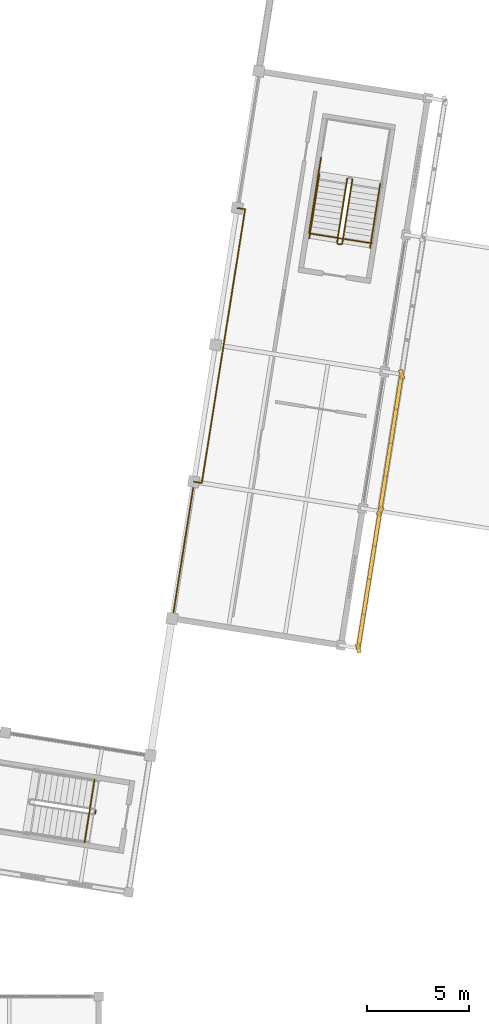
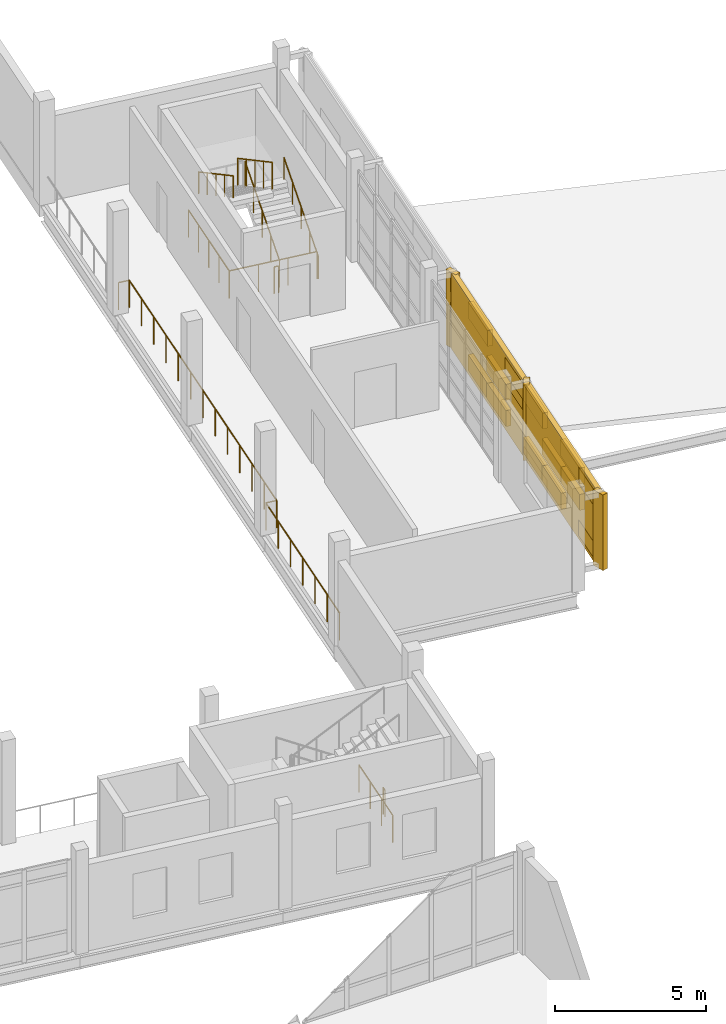
# One storey, part 135 of 137: 19 coverings, 13 railings, 2 shading devices.
"""IFC4 building model written with IfcOpenShell, lengths in metres."""

from ifc_helpers import new_model, si_unit, direction, frame, origin, origin_2d, place, context, subcontext, project, spatial, rectangle, circle, extrude, material, layer, layer_set, type_object, element, save


model = new_model("IFC4")

# Units and contexts
model_context = context("Model", 3, precision=1e-05, world=origin(), true_north=direction((0.0, 1.0)))
body_context = subcontext(model_context, "Body", "Model", "MODEL_VIEW")
ifc_project = project(units=[si_unit("LENGTHUNIT", "METRE"), si_unit("AREAUNIT", "SQUARE_METRE"), si_unit("VOLUMEUNIT", "CUBIC_METRE"), si_unit("PLANEANGLEUNIT", "RADIAN"), si_unit("MASSUNIT", "GRAM", prefix="KILO")], contexts=[model_context])

# Site, building, storey
site_placement = place(None, origin())
site = spatial("IfcSite", under=ifc_project, at=site_placement, CompositionType="ELEMENT")
building_placement = place(site_placement, origin())
building = spatial("IfcBuilding", under=site, at=building_placement, Name="Cinderway Yard Community Centre", CompositionType="ELEMENT")
storey_placement = place(building_placement, frame((0.0, 0.0, 4.800048828125)))
storey = spatial("IfcBuildingStorey", under=building, at=storey_placement, Name="L01", CompositionType="ELEMENT", Elevation=4.800048828125)

# Coverings
ifc_material_1 = material(Name="Brick Masonry", Category="masonry")
ifc_layer = layer(ifc_material_1, 0.18994140625, Name="Brick Masonry")
ifc_layer_set = layer_set([ifc_layer], Name="Brick Masonry")
covering_type = type_object("IfcCoveringType", Name="ENV-COV-BRK-SCREEN", PredefinedType="CLADDING", material=ifc_layer_set)
for number, where, z_axis, x_axis, name in (
    (1, (149.533935546875, 39.889892578125, 0.64990234375), (0.0, 0.0, 1.0), (0.258819045103, -0.965925826289, 0.0), "Deconstructivist folded brick fin 1338"),
    (2, (150.597900390625, 46.60693359375, 0.64990234375), (0.0, 0.0, 1.0), (-0.544639035015, -0.838670567945, 0.0), "Deconstructivist folded brick fin 1339"),
    (3, (151.662109375, 53.322998046875, 0.64990234375), (0.0, 0.0, 1.0), (0.258819045103, -0.965925826289, 0.0), "Deconstructivist folded brick fin 1340"),
):
    element("IfcCovering", number, at=place(storey_placement, frame(where, z_axis=z_axis, x_axis=x_axis)), inside=storey, type_object=covering_type, Name=name, PredefinedType="CLADDING", context=body_context, shape_type="SweptSolid", body=[
        extrude(rectangle(XDim=0.4599609375, YDim=0.199951171875, at=origin_2d()), origin(), (0.0, 0.0, 1.0), 3.050048828125),
    ])
for number, where, z_axis, x_axis, name in (
    (4, (149.6669921875, 40.72998046875, 0.7900390625), (0.0, 0.0, 1.0), (-0.15643446504, -0.987688340595, 0.0), "Open-bond perforated brick screen course 01343"),
    (5, (150.198974609375, 44.087890625, 0.7900390625), (0.0, 0.0, 1.0), (-0.15643446504, -0.987688340595, 0.0), "Open-bond perforated brick screen course 01344"),
    (6, (150.465087890625, 45.76708984375, 0.7900390625), (0.0, 0.0, 1.0), (-0.15643446504, -0.987688340595, 0.0), "Open-bond perforated brick screen course 01345"),
    (7, (149.93310546875, 42.408935546875, 1.85205078125), (0.0, 0.0, 1.0), (-0.15643446504, -0.987688340595, 0.0), "Open-bond perforated brick screen course 01346"),
    (8, (150.198974609375, 44.087890625, 1.85205078125), (0.0, 0.0, 1.0), (-0.15643446504, -0.987688340595, 0.0), "Open-bond perforated brick screen course 01347"),
    (9, (149.6669921875, 40.72998046875, 2.9140625), (0.0, 0.0, 1.0), (-0.15643446504, -0.987688340595, 0.0), "Open-bond perforated brick screen course 01348"),
    (10, (149.93310546875, 42.408935546875, 2.9140625), (0.0, 0.0, 1.0), (-0.15643446504, -0.987688340595, 0.0), "Open-bond perforated brick screen course 01349"),
    (11, (150.465087890625, 45.76708984375, 2.9140625), (0.0, 0.0, 1.0), (-0.15643446504, -0.987688340595, 0.0), "Open-bond perforated brick screen course 01350"),
    (12, (150.9970703125, 49.1259765625, 0.7900390625), (0.0, 0.0, 1.0), (-0.15643446504, -0.987688340595, 0.0), "Open-bond perforated brick screen course 01351"),
    (13, (151.262939453125, 50.803955078125, 0.7900390625), (0.0, 0.0, 1.0), (-0.15643446504, -0.987688340595, 0.0), "Open-bond perforated brick screen course 01352"),
    (14, (150.73095703125, 47.447021484375, 1.85205078125), (0.0, 0.0, 1.0), (-0.15643446504, -0.987688340595, 0.0), "Open-bond perforated brick screen course 01353"),
    (15, (150.9970703125, 49.1259765625, 1.85205078125), (0.0, 0.0, 1.0), (-0.15643446504, -0.987688340595, 0.0), "Open-bond perforated brick screen course 01354"),
    (16, (151.529052734375, 52.48291015625, 1.85205078125), (0.0, 0.0, 1.0), (-0.15643446504, -0.987688340595, 0.0), "Open-bond perforated brick screen course 01355"),
    (17, (150.73095703125, 47.447021484375, 2.9140625), (0.0, 0.0, 1.0), (-0.15643446504, -0.987688340595, 0.0), "Open-bond perforated brick screen course 01356"),
    (18, (151.262939453125, 50.803955078125, 2.9140625), (0.0, 0.0, 1.0), (-0.15643446504, -0.987688340595, 0.0), "Open-bond perforated brick screen course 01357"),
    (19, (151.529052734375, 52.48291015625, 2.9140625), (0.0, 0.0, 1.0), (-0.15643446504, -0.987688340595, 0.0), "Open-bond perforated brick screen course 01358"),
):
    element("IfcCovering", number, at=place(storey_placement, frame(where, z_axis=z_axis, x_axis=x_axis)), inside=storey, type_object=covering_type, Name=name, PredefinedType="CLADDING", context=body_context, shape_type="SweptSolid", body=[
        extrude(rectangle(XDim=1.780029296875, YDim=0.18994140625, at=origin_2d()), origin(), (0.0, 0.0, 1.0), 0.64599609375),
    ])

# Shading devices
shading_device_type = type_object("IfcShadingDeviceType", Name="ENV-SHD-BRICKSCREEN-A", PredefinedType="USERDEFINED", material=ifc_material_1)
shading_device_1_placement = place(storey_placement, frame((150.06591796875, 43.248046875, 0.64990234375), z_axis=(0.0, 0.0, 1.0), x_axis=(-0.15643446504, -0.987688340595, 0.0)))
element("IfcShadingDevice", 20, at=shading_device_1_placement, inside=storey, type_object=shading_device_type, Name="Sports Hall East Perforated Brick Screen 1018", ObjectType="PERFORATED BRICK SCREEN", PredefinedType="USERDEFINED", context=body_context, shape_type="SweptSolid", body=[
    extrude(rectangle(XDim=6.60107421875, YDim=0.18994140625, at=origin_2d()), origin(), (0.0, 0.0, 1.0), 3.050048828125),
])
shading_device_2_placement = place(storey_placement, frame((151.1298828125, 49.965087890625, 0.64990234375), z_axis=(0.0, 0.0, 1.0), x_axis=(-0.15643446504, -0.987688340595, 0.0)))
element("IfcShadingDevice", 21, at=shading_device_2_placement, inside=storey, type_object=shading_device_type, Name="Sports Hall East Perforated Brick Screen 1025", ObjectType="PERFORATED BRICK SCREEN", PredefinedType="USERDEFINED", context=body_context, shape_type="SweptSolid", body=[
    extrude(rectangle(XDim=6.60009765625, YDim=0.18994140625, at=origin_2d()), origin(), (0.0, 0.0, 1.0), 3.050048828125),
])

# Railings
ifc_material_2 = material(Name="Painted Galvanised Steel", Category="steel")
railing_type_1 = type_object("IfcRailingType", Name="INT-RAL-BAL112", PredefinedType="BALUSTRADE", material=ifc_material_2)
railing_1_placement = place(storey_placement, frame((140.41796875, 41.333984375, 0.0)))
element("IfcRailing", 22, at=railing_1_placement, inside=storey, type_object=railing_type_1, Name="Sports Balcony Guard L01 008", PredefinedType="BALUSTRADE", context=body_context, shape_type="SweptSolid", body=[
    extrude(circle(Radius=0.02392578125, at=origin_2d()), frame((0.0, 0.0, 1.09619140625), z_axis=(0.156329470887, 0.987704964315, 0.0), x_axis=(-0.987704964315, 0.156329470887, 0.0)), (0.0, 0.0, 1.0), 6.799560546875),
    extrude(circle(Radius=0.02099609375, at=origin_2d()), origin(), (0.0, 0.0, 1.0), 1.072021484375),
    extrude(circle(Radius=0.02099609375, at=origin_2d()), frame((0.17724609375, 1.119384765625, 0.0)), (0.0, 0.0, 1.0), 1.072021484375),
    extrude(circle(Radius=0.02099609375, at=origin_2d()), frame((0.354248046875, 2.23876953125, 0.0)), (0.0, 0.0, 1.0), 1.072021484375),
    extrude(circle(Radius=0.02099609375, at=origin_2d()), frame((0.531494140625, 3.35791015625, 0.0)), (0.0, 0.0, 1.0), 1.072021484375),
    extrude(circle(Radius=0.02099609375, at=origin_2d()), frame((0.708740234375, 4.477294921875, 0.0)), (0.0, 0.0, 1.0), 1.072021484375),
    extrude(circle(Radius=0.02099609375, at=origin_2d()), frame((0.8857421875, 5.5966796875, 0.0)), (0.0, 0.0, 1.0), 1.072021484375),
    extrude(circle(Radius=0.02099609375, at=origin_2d()), frame((1.06298828125, 6.716064453125, 0.0)), (0.0, 0.0, 1.0), 1.072021484375),
])
railing_2_placement = place(storey_placement, frame((141.48095703125, 48.050048828125, 0.0)))
element("IfcRailing", 23, at=railing_2_placement, inside=storey, type_object=railing_type_1, Name="Sports Balcony Guard L01 009", PredefinedType="BALUSTRADE", context=body_context, shape_type="SweptSolid", body=[
    extrude(circle(Radius=0.02392578125, at=origin_2d()), frame((0.0, 0.0, 1.09619140625), z_axis=(0.987877125404, -0.155237833992, 0.0), x_axis=(0.155237833992, 0.987877125404, 0.0)), (0.0, 0.0, 1.0), 0.380615234375),
    extrude(circle(Radius=0.02099609375, at=origin_2d()), origin(), (0.0, 0.0, 1.0), 1.072021484375),
    extrude(circle(Radius=0.02099609375, at=origin_2d()), frame((0.3759765625, -0.05908203125, 0.0)), (0.0, 0.0, 1.0), 1.072021484375),
])
railing_3_placement = place(storey_placement, frame((141.85693359375, 47.990966796875, 0.0)))
element("IfcRailing", 24, at=railing_3_placement, inside=storey, type_object=railing_type_1, Name="Sports Balcony Guard L01 010", PredefinedType="BALUSTRADE", context=body_context, shape_type="SweptSolid", body=[
    extrude(circle(Radius=0.02392578125, at=origin_2d()), frame((0.0, 0.0, 1.09619140625), z_axis=(0.156388432473, 0.987695630338, 0.0), x_axis=(-0.987695630338, 0.156388432473, 0.0)), (0.0, 0.0, 1.0), 13.600341796875),
    extrude(circle(Radius=0.02099609375, at=origin_2d()), origin(), (0.0, 0.0, 1.0), 1.072021484375),
    extrude(circle(Radius=0.02099609375, at=origin_2d()), frame((0.17724609375, 1.119384765625, 0.0)), (0.0, 0.0, 1.0), 1.072021484375),
    extrude(circle(Radius=0.02099609375, at=origin_2d()), frame((0.3544921875, 2.23876953125, 0.0)), (0.0, 0.0, 1.0), 1.072021484375),
    extrude(circle(Radius=0.02099609375, at=origin_2d()), frame((0.53173828125, 3.3583984375, 0.0)), (0.0, 0.0, 1.0), 1.072021484375),
    extrude(circle(Radius=0.02099609375, at=origin_2d()), frame((0.708984375, 4.477783203125, 0.0)), (0.0, 0.0, 1.0), 1.072021484375),
    extrude(circle(Radius=0.02099609375, at=origin_2d()), frame((0.88623046875, 5.59716796875, 0.0)), (0.0, 0.0, 1.0), 1.072021484375),
    extrude(circle(Radius=0.02099609375, at=origin_2d()), frame((1.0634765625, 6.716552734375, 0.0)), (0.0, 0.0, 1.0), 1.072021484375),
    extrude(circle(Radius=0.02099609375, at=origin_2d()), frame((1.24072265625, 7.8359375, 0.0)), (0.0, 0.0, 1.0), 1.072021484375),
    extrude(circle(Radius=0.02099609375, at=origin_2d()), frame((1.41796875, 8.955322265625, 0.0)), (0.0, 0.0, 1.0), 1.072021484375),
    extrude(circle(Radius=0.02099609375, at=origin_2d()), frame((1.59521484375, 10.07470703125, 0.0)), (0.0, 0.0, 1.0), 1.072021484375),
    extrude(circle(Radius=0.02099609375, at=origin_2d()), frame((1.7724609375, 11.1943359375, 0.0)), (0.0, 0.0, 1.0), 1.072021484375),
    extrude(circle(Radius=0.02099609375, at=origin_2d()), frame((1.94970703125, 12.313720703125, 0.0)), (0.0, 0.0, 1.0), 1.072021484375),
    extrude(circle(Radius=0.02099609375, at=origin_2d()), frame((2.126953125, 13.43310546875, 0.0)), (0.0, 0.0, 1.0), 1.072021484375),
])
railing_4_placement = place(storey_placement, frame((143.98388671875, 61.424072265625, 0.0)))
element("IfcRailing", 25, at=railing_4_placement, inside=storey, type_object=railing_type_1, Name="Sports Balcony Guard L01 011", PredefinedType="BALUSTRADE", context=body_context, shape_type="SweptSolid", body=[
    extrude(circle(Radius=0.02392578125, at=origin_2d()), frame((0.0, 0.0, 1.09619140625), z_axis=(-0.987913733521, 0.155004693866, 0.0), x_axis=(-0.155004693866, -0.987913733521, 0.0)), (0.0, 0.0, 1.0), 0.379638671875),
    extrude(circle(Radius=0.02099609375, at=origin_2d()), origin(), (0.0, 0.0, 1.0), 1.072021484375),
    extrude(circle(Radius=0.02099609375, at=origin_2d()), frame((-0.375, 0.058837890625, 0.0)), (0.0, 0.0, 1.0), 1.072021484375),
])
railing_type_2 = type_object("IfcRailingType", Name="INT-RAL-GRD112", PredefinedType="GUARDRAIL", material=ifc_material_2)
railing_5_placement = place(storey_placement, frame((136.650146484375, 31.927978515625, 0.0)))
element("IfcRailing", 26, at=railing_5_placement, inside=storey, type_object=railing_type_2, Name="L01 ST-07 stair guard 4", PredefinedType="GUARDRAIL", context=body_context, shape_type="SweptSolid", body=[
    extrude(circle(Radius=0.02392578125, at=origin_2d()), frame((0.0, 0.0, 1.076171875), z_axis=(-0.15697991501, -0.987601795403, 0.0), x_axis=(0.987601795403, -0.15697991501, 0.0)), (0.0, 0.0, 1.0), 0.16015625),
    extrude(circle(Radius=0.02099609375, at=origin_2d()), origin(), (0.0, 0.0, 1.0), 1.052001953125),
    extrude(circle(Radius=0.02099609375, at=origin_2d()), frame((-0.025146484375, -0.158203125, 0.0)), (0.0, 0.0, 1.0), 1.052001953125),
])
railing_6_placement = place(storey_placement, frame((148.7490234375, 59.737548828125, 0.175048828125)))
element("IfcRailing", 27, at=railing_6_placement, inside=storey, type_object=railing_type_2, Name="L01 ST-08 stair guard 1", PredefinedType="GUARDRAIL", context=body_context, shape_type="SweptSolid", body=[
    extrude(circle(Radius=0.02392578125, at=origin_2d()), frame((0.0, 0.0, 1.076171875), z_axis=(0.133942993609, 0.8456625893, 0.516637261065), x_axis=(-0.98768776354, 0.156438108382, 0.0)), (0.0, 0.0, 1.0), 3.7255859375),
    extrude(circle(Radius=0.02099609375, at=origin_2d()), origin(), (0.0, 0.0, 1.0), 1.052001953125),
    extrude(circle(Radius=0.02099609375, at=origin_2d()), frame((0.124755859375, 0.78759765625, 0.481201171875)), (0.0, 0.0, 1.0), 1.052001953125),
    extrude(circle(Radius=0.02099609375, at=origin_2d()), frame((0.24951171875, 1.5751953125, 0.96240234375)), (0.0, 0.0, 1.0), 1.052001953125),
    extrude(circle(Radius=0.02099609375, at=origin_2d()), frame((0.374267578125, 2.363037109375, 1.443603515625)), (0.0, 0.0, 1.0), 1.052001953125),
    extrude(circle(Radius=0.02099609375, at=origin_2d()), frame((0.4990234375, 3.150634765625, 1.9248046875)), (0.0, 0.0, 1.0), 1.052001953125),
])
railing_7_placement = place(storey_placement, frame((148.991455078125, 62.928955078125, 2.27490234375)))
element("IfcRailing", 28, at=railing_7_placement, inside=storey, type_object=railing_type_2, Name="L01 ST-08 stair guard 3", PredefinedType="GUARDRAIL", context=body_context, shape_type="SweptSolid", body=[
    extrude(circle(Radius=0.02392578125, at=origin_2d()), frame((0.0, 0.0, 1.076171875), z_axis=(-0.133931037371, -0.845652626377, 0.516656668137), x_axis=(0.987689636366, -0.156426283646, 0.0)), (0.0, 0.0, 1.0), 3.72607421875),
    extrude(circle(Radius=0.02099609375, at=origin_2d()), origin(), (0.0, 0.0, 1.0), 1.052001953125),
    extrude(circle(Radius=0.02099609375, at=origin_2d()), frame((-0.124755859375, -0.78759765625, 0.481201171875)), (0.0, 0.0, 1.0), 1.052001953125),
    extrude(circle(Radius=0.02099609375, at=origin_2d()), frame((-0.24951171875, -1.575439453125, 0.96240234375)), (0.0, 0.0, 1.0), 1.052001953125),
    extrude(circle(Radius=0.02099609375, at=origin_2d()), frame((-0.374267578125, -2.36328125, 1.44384765625)), (0.0, 0.0, 1.0), 1.052001953125),
    extrude(circle(Radius=0.02099609375, at=origin_2d()), frame((-0.4990234375, -3.15087890625, 1.925048828125)), (0.0, 0.0, 1.0), 1.052001953125),
])
railing_8_placement = place(storey_placement, frame((148.69189453125, 59.69580078125, 0.0)))
element("IfcRailing", 29, at=railing_8_placement, inside=storey, type_object=railing_type_2, Name="L01 ST-08 stair guard 4", PredefinedType="GUARDRAIL", context=body_context, shape_type="SweptSolid", body=[
    extrude(circle(Radius=0.02392578125, at=origin_2d()), frame((0.0, 0.0, 1.076171875), z_axis=(-0.987564153079, 0.157216549872, 0.0), x_axis=(-0.157216549872, -0.987564153079, 0.0)), (0.0, 0.0, 1.0), 0.159912109375),
    extrude(circle(Radius=0.02099609375, at=origin_2d()), origin(), (0.0, 0.0, 1.0), 1.052001953125),
    extrude(circle(Radius=0.02099609375, at=origin_2d()), frame((-0.157958984375, 0.025146484375, 0.0)), (0.0, 0.0, 1.0), 1.052001953125),
])
railing_9_placement = place(storey_placement, frame((136.10693359375, 30.35400390625, 0.0)))
element("IfcRailing", 30, at=railing_9_placement, inside=storey, type_object=railing_type_2, Name="Service void perimeter guard L01 065", PredefinedType="GUARDRAIL", context=body_context, shape_type="SweptSolid", body=[
    extrude(circle(Radius=0.02392578125, at=origin_2d()), frame((0.0, 0.0, 1.09619140625), z_axis=(0.156400487121, 0.98769372157, 0.0), x_axis=(-0.98769372157, 0.156400487121, 0.0)), (0.0, 0.0, 1.0), 3.120361328125),
    extrude(circle(Radius=0.02099609375, at=origin_2d()), origin(), (0.0, 0.0, 1.0), 1.072021484375),
    extrude(circle(Radius=0.02099609375, at=origin_2d()), frame((0.16259765625, 1.02734375, 0.0)), (0.0, 0.0, 1.0), 1.072021484375),
    extrude(circle(Radius=0.02099609375, at=origin_2d()), frame((0.325439453125, 2.0546875, 0.0)), (0.0, 0.0, 1.0), 1.072021484375),
    extrude(circle(Radius=0.02099609375, at=origin_2d()), frame((0.488037109375, 3.08203125, 0.0)), (0.0, 0.0, 1.0), 1.072021484375),
])
railing_10_placement = place(storey_placement, frame((147.70703125, 63.958984375, 0.0)))
element("IfcRailing", 31, at=railing_10_placement, inside=storey, type_object=railing_type_2, Name="Service void perimeter guard L01 069", PredefinedType="GUARDRAIL", context=body_context, shape_type="SweptSolid", body=[
    extrude(circle(Radius=0.02392578125, at=origin_2d()), frame((0.0, 0.0, 1.09619140625), z_axis=(-0.156415259269, -0.987691382299, 0.0), x_axis=(0.987691382299, -0.156415259269, 0.0)), (0.0, 0.0, 1.0), 3.766357421875),
    extrude(circle(Radius=0.02099609375, at=origin_2d()), origin(), (0.0, 0.0, 1.0), 1.072021484375),
    extrude(circle(Radius=0.02099609375, at=origin_2d()), frame((-0.147216796875, -0.929931640625, 0.0)), (0.0, 0.0, 1.0), 1.072021484375),
    extrude(circle(Radius=0.02099609375, at=origin_2d()), frame((-0.29443359375, -1.85986328125, 0.0)), (0.0, 0.0, 1.0), 1.072021484375),
    extrude(circle(Radius=0.02099609375, at=origin_2d()), frame((-0.44189453125, -2.7900390625, 0.0)), (0.0, 0.0, 1.0), 1.072021484375),
    extrude(circle(Radius=0.02099609375, at=origin_2d()), frame((-0.589111328125, -3.719970703125, 0.0)), (0.0, 0.0, 1.0), 1.072021484375),
])
railing_11_placement = place(storey_placement, frame((147.117919921875, 60.239013671875, 0.0)))
element("IfcRailing", 32, at=railing_11_placement, inside=storey, type_object=railing_type_2, Name="Service void perimeter guard L01 070", PredefinedType="GUARDRAIL", context=body_context, shape_type="SweptSolid", body=[
    extrude(circle(Radius=0.02392578125, at=origin_2d()), frame((0.0, 0.0, 1.09619140625), z_axis=(0.98769372157, -0.156400487121, 0.0), x_axis=(0.156400487121, 0.98769372157, 0.0)), (0.0, 0.0, 1.0), 3.120361328125),
    extrude(circle(Radius=0.02099609375, at=origin_2d()), origin(), (0.0, 0.0, 1.0), 1.072021484375),
    extrude(circle(Radius=0.02099609375, at=origin_2d()), frame((1.02734375, -0.16259765625, 0.0)), (0.0, 0.0, 1.0), 1.072021484375),
    extrude(circle(Radius=0.02099609375, at=origin_2d()), frame((2.0546875, -0.325439453125, 0.0)), (0.0, 0.0, 1.0), 1.072021484375),
    extrude(circle(Radius=0.02099609375, at=origin_2d()), frame((3.08203125, -0.488037109375, 0.0)), (0.0, 0.0, 1.0), 1.072021484375),
])
railing_type_3 = type_object("IfcRailingType", Name="INT-RAL-HND090", PredefinedType="HANDRAIL", material=ifc_material_2)
railing_12_placement = place(storey_placement, frame((150.112060546875, 59.521484375, 0.175048828125)))
element("IfcRailing", 33, at=railing_12_placement, inside=storey, type_object=railing_type_3, Name="L01 ST-08 stair handrail 1", PredefinedType="HANDRAIL", context=body_context, shape_type="SweptSolid", body=[
    extrude(circle(Radius=0.02392578125, at=origin_2d()), frame((0.0, 0.0, 0.8759765625), z_axis=(0.133935571336, 0.845681254237, 0.516608632296), x_axis=(-0.987689636366, 0.156426283646, 0.0)), (0.0, 0.0, 1.0), 3.725830078125),
    extrude(circle(Radius=0.02099609375, at=origin_2d()), origin(), (0.0, 0.0, 1.0), 0.851806640625),
    extrude(circle(Radius=0.02099609375, at=origin_2d()), frame((0.124755859375, 0.78759765625, 0.481201171875)), (0.0, 0.0, 1.0), 0.851806640625),
    extrude(circle(Radius=0.02099609375, at=origin_2d()), frame((0.24951171875, 1.575439453125, 0.96240234375)), (0.0, 0.0, 1.0), 0.851806640625),
    extrude(circle(Radius=0.02099609375, at=origin_2d()), frame((0.374267578125, 2.36328125, 1.443603515625)), (0.0, 0.0, 1.0), 0.851806640625),
    extrude(circle(Radius=0.02099609375, at=origin_2d()), frame((0.4990234375, 3.15087890625, 1.9248046875)), (0.0, 0.0, 1.0), 0.851806640625),
])
railing_13_placement = place(storey_placement, frame((147.62841796875, 63.144775390625, 2.27490234375)))
element("IfcRailing", 34, at=railing_13_placement, inside=storey, type_object=railing_type_3, Name="L01 ST-08 stair handrail 2", PredefinedType="HANDRAIL", context=body_context, shape_type="SweptSolid", body=[
    extrude(circle(Radius=0.02392578125, at=origin_2d()), frame((0.0, 0.0, 0.8759765625), z_axis=(-0.133938458891, -0.845633958899, 0.51668529763), x_axis=(0.98768776354, -0.156438108382, 0.0)), (0.0, 0.0, 1.0), 3.725830078125),
    extrude(circle(Radius=0.02099609375, at=origin_2d()), origin(), (0.0, 0.0, 1.0), 0.851806640625),
    extrude(circle(Radius=0.02099609375, at=origin_2d()), frame((-0.124755859375, -0.78759765625, 0.481201171875)), (0.0, 0.0, 1.0), 0.851806640625),
    extrude(circle(Radius=0.02099609375, at=origin_2d()), frame((-0.24951171875, -1.5751953125, 0.96240234375)), (0.0, 0.0, 1.0), 0.851806640625),
    extrude(circle(Radius=0.02099609375, at=origin_2d()), frame((-0.374267578125, -2.363037109375, 1.44384765625)), (0.0, 0.0, 1.0), 0.851806640625),
    extrude(circle(Radius=0.02099609375, at=origin_2d()), frame((-0.4990234375, -3.150634765625, 1.925048828125)), (0.0, 0.0, 1.0), 0.851806640625),
])

save(model, "model.ifc")
